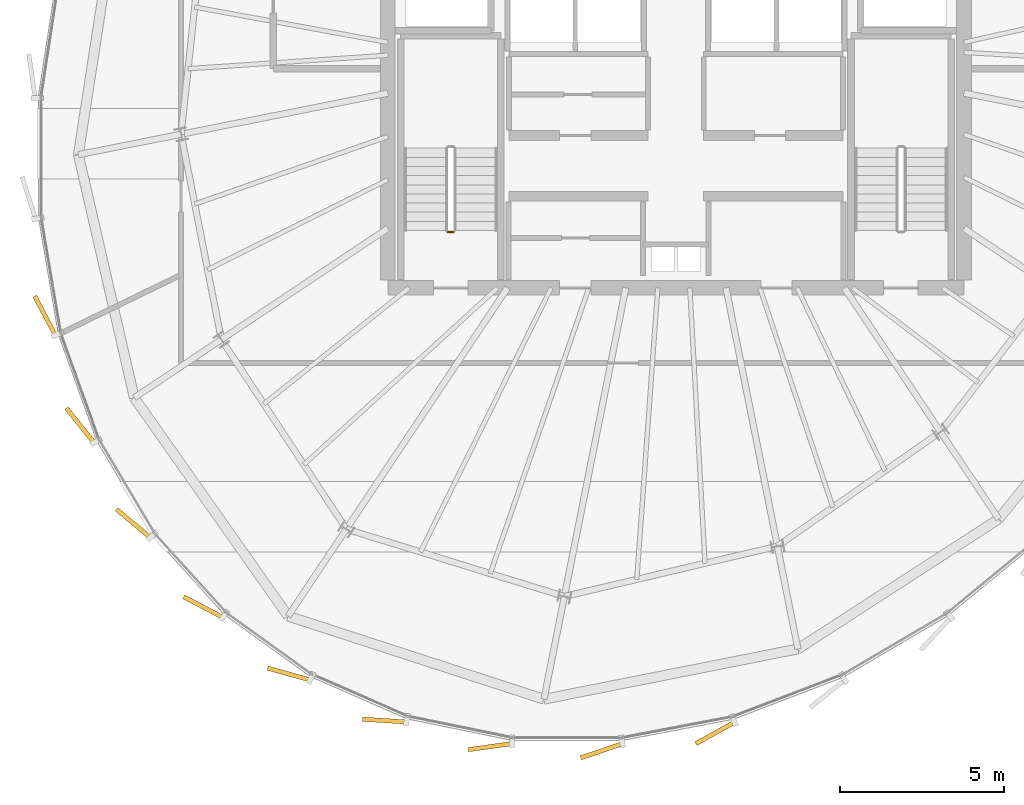
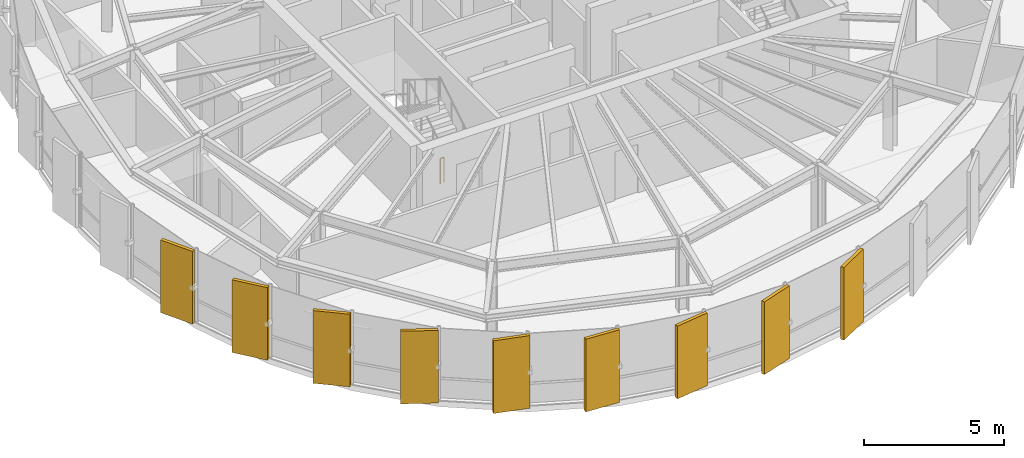
# One storey, part 28 of 31: 9 coverings, 1 railing.
"""IFC4 building model written with IfcOpenShell, lengths in metres."""

import ifcopenshell
import ifcopenshell.guid

model = None  # the IFC model being written
_history = None  # IfcOwnerHistory: only IFC2X3 demands one
_inside = {}  # id of a spatial element -> (the spatial element, [elements in it])
_under = {}  # id of a project, library or spatial element -> (it, [spatial elements below it])
_declared = {}  # id of a project -> (the project, [libraries it declares])
_typed = {}  # id of a type object -> (the type object, [elements of that type])
_made_of = {}  # id of a material, layer set ... -> (it, [elements and type objects made of it])


def new_model(schema):
    """Start an empty IFC model of exactly this schema.

    Asked for "IFC4X3", IfcOpenShell would pick the latest addendum, in which some entities
    have other attributes; the version numbers below select the first issue.
    IFC2X3 requires an IfcOwnerHistory on every rooted entity: one is made here for all.
    """
    global model, _history
    if schema == "IFC4X3":
        model = ifcopenshell.file(schema_version=(4, 3, 0, 0))
    else:
        model = ifcopenshell.file(schema=schema)
    _inside.clear()
    _under.clear()
    _declared.clear()
    _typed.clear()
    _made_of.clear()
    _history = None
    if model.schema == "IFC2X3":
        org = make("IfcOrganization", Name="unknown")
        user = make(
            "IfcPersonAndOrganization",
            ThePerson=make("IfcPerson", FamilyName="unknown"),
            TheOrganization=org,
        )
        app = make(
            "IfcApplication",
            ApplicationDeveloper=org,
            Version="unknown",
            ApplicationFullName="unknown",
            ApplicationIdentifier="unknown",
        )
        _history = make(
            "IfcOwnerHistory",
            OwningUser=user,
            OwningApplication=app,
            ChangeAction="ADDED",
            CreationDate=0,
        )
    return model


def make(cls, **values):
    """One entity of the class cls with the attributes given. An attribute that is None is left unset."""
    return model.create_entity(
        cls, **{name: value for name, value in values.items() if value is not None}
    )


def rooted(cls, **values):
    """An entity with a GlobalId (a new one), such as an element, a storey or a relation."""
    return make(cls, GlobalId=ifcopenshell.guid.new(), OwnerHistory=_history, **values)


def si_unit(unit_type, name, prefix=None):
    """IfcSIUnit, for example si_unit("LENGTHUNIT", "METRE", prefix="MILLI")."""
    return make("IfcSIUnit", UnitType=unit_type, Prefix=prefix, Name=name)


def assignment(units):
    """IfcUnitAssignment: the units of a project."""
    return None if units is None else make("IfcUnitAssignment", Units=units)


def point(xyz):
    """IfcCartesianPoint."""
    return None if xyz is None else make("IfcCartesianPoint", Coordinates=xyz)


def direction(xyz):
    """IfcDirection."""
    return None if xyz is None else make("IfcDirection", DirectionRatios=xyz)


def frame(location, z_axis=None, x_axis=None):
    """IfcAxis2Placement3D, a coordinate frame: its origin and axes. An axis left out is left unset."""
    return make(
        "IfcAxis2Placement3D",
        Location=point(location),
        Axis=direction(z_axis),
        RefDirection=direction(x_axis),
    )


def frame_2d(location, x_axis=None):
    """IfcAxis2Placement2D, a coordinate frame in the plane: its origin and x axis."""
    return make(
        "IfcAxis2Placement2D", Location=point(location), RefDirection=direction(x_axis)
    )


def origin():
    """The frame at (0, 0, 0) with its axes left unset."""
    return frame((0.0, 0.0, 0.0))


def origin_2d():
    """The frame at (0, 0) in the plane with its x axis left unset."""
    return frame_2d((0.0, 0.0))


def place(relative_to, where):
    """IfcLocalPlacement: puts the frame where relative to a parent placement (None: the world)."""
    return make(
        "IfcLocalPlacement", PlacementRelTo=relative_to, RelativePlacement=where
    )


def context(
    kind, dimensions, precision=None, world=None, true_north=None, identifier=None
):
    """IfcGeometricRepresentationContext, for example the 3D "Model" context."""
    return make(
        "IfcGeometricRepresentationContext",
        ContextIdentifier=identifier,
        ContextType=kind,
        CoordinateSpaceDimension=dimensions,
        Precision=precision,
        WorldCoordinateSystem=world,
        TrueNorth=true_north,
    )


def subcontext(parent, identifier, kind, view, scale=None):
    """IfcGeometricRepresentationSubContext, for example "Body" below "Model"."""
    return make(
        "IfcGeometricRepresentationSubContext",
        ContextIdentifier=identifier,
        ContextType=kind,
        ParentContext=parent,
        TargetScale=scale,
        TargetView=view,
    )


def project(units=None, contexts=None):
    """IfcProject with its units and contexts."""
    return rooted(
        "IfcProject",
        Name="project",
        RepresentationContexts=contexts,
        UnitsInContext=assignment(units),
    )


def spatial(cls, under=None, at=None, **own):
    """A site, building, storey or space (cls), placed at a placement, below another one or the project."""
    s = rooted(cls, ObjectPlacement=at, **own)
    if under is not None:
        _under.setdefault(under.id(), (under, []))[1].append(s)
    return s


def profile(cls, at=None, kind="AREA", **sizes):
    """A parametric profile (cls). Its sizes go by their IFC names, for example OverallWidth=200.0."""
    return make(cls, ProfileType=kind, Position=at, **sizes)


def rectangle(**sizes):
    """IfcRectangleProfileDef."""
    return profile("IfcRectangleProfileDef", **sizes)


def circle(**sizes):
    """IfcCircleProfileDef."""
    return profile("IfcCircleProfileDef", **sizes)


def extrude(swept, where, along, depth):
    """IfcExtrudedAreaSolid: the profile swept, set in the frame where, extruded along a direction by depth."""
    return make(
        "IfcExtrudedAreaSolid",
        SweptArea=swept,
        Position=where,
        ExtrudedDirection=direction(along),
        Depth=depth,
    )


def shape(context_of_items, identifier, shape_type, items):
    """IfcShapeRepresentation: the items that make up one representation, for example the "Body"."""
    return make(
        "IfcShapeRepresentation",
        ContextOfItems=context_of_items,
        RepresentationIdentifier=identifier,
        RepresentationType=shape_type,
        Items=items,
    )


def source(mapping_origin, context_of_items, identifier, shape_type, items):
    """IfcRepresentationMap: a shape defined once, which mapped items show again and again."""
    return make(
        "IfcRepresentationMap",
        MappingOrigin=mapping_origin,
        MappedRepresentation=shape(context_of_items, identifier, shape_type, items),
    )


def transform(
    local_origin,
    x_axis=None,
    y_axis=None,
    z_axis=None,
    scale=None,
    scale2=None,
    scale3=None,
    uniform=True,
):
    """IfcCartesianTransformationOperator3D, or its non-uniform kind. x_axis, y_axis, z_axis: its Axis1, 2, 3."""
    if uniform:
        return make(
            "IfcCartesianTransformationOperator3D",
            Axis1=direction(x_axis),
            Axis2=direction(y_axis),
            LocalOrigin=point(local_origin),
            Scale=scale,
            Axis3=direction(z_axis),
        )
    return make(
        "IfcCartesianTransformationOperator3DnonUniform",
        Axis1=direction(x_axis),
        Axis2=direction(y_axis),
        LocalOrigin=point(local_origin),
        Scale=scale,
        Axis3=direction(z_axis),
        Scale2=scale2,
        Scale3=scale3,
    )


def mapped(mapping_source, mapping_target):
    """IfcMappedItem: shows the shape of a source again, moved by a transform."""
    return make(
        "IfcMappedItem", MappingSource=mapping_source, MappingTarget=mapping_target
    )


def material(Name=None, Category=None):
    """IfcMaterial."""
    return make("IfcMaterial", Name=Name, Category=Category)


def layer(
    of_material, thickness, ventilated=None, Name=None, Category=None, Priority=None
):
    """IfcMaterialLayer: one layer of a wall or slab, of a material (None: an air gap)."""
    return make(
        "IfcMaterialLayer",
        Material=of_material,
        LayerThickness=thickness,
        IsVentilated=ventilated,
        Name=Name,
        Category=Category,
        Priority=Priority,
    )


def layer_set(layers, Name=None):
    """IfcMaterialLayerSet."""
    return make("IfcMaterialLayerSet", MaterialLayers=layers, LayerSetName=Name)


def made_of(thing, what):
    """Note that an element or type object is made of a material, layer set ...; save() writes the relation."""
    if what is not None:
        _made_of.setdefault(what.id(), (what, []))[1].append(thing)
    return thing


def type_object(cls, material=None, **own):
    """A type object (cls), such as IfcWallType, which elements share."""
    return made_of(rooted(cls, **own), material)


def element(
    cls,
    number,
    at=None,
    inside=None,
    cuts=None,
    type_object=None,
    material=None,
    context=None,
    identifier="Body",
    shape_type=None,
    held_by="IfcProductDefinitionShape",
    body=None,
    shapes=None,
    **own,
):
    """One element of the class cls, such as IfcWall. Its Tag is "e" and its number.

    at: its placement. inside: the storey or other place that contains it. cuts: it is an
    opening in that element (IfcRelVoidsElement). A single representation is given by context,
    identifier, shape_type and body (its items); several are given by shapes. held_by: the class
    of the entity that holds the representations. save() writes the other relations.
    """
    e = rooted(cls, Tag="e%d" % number, ObjectPlacement=at, **own)
    if body is not None:
        shapes = [shape(context, identifier, shape_type, body)]
    if shapes is not None:
        e.Representation = make(held_by, Representations=shapes)
    if inside is not None:
        _inside.setdefault(inside.id(), (inside, []))[1].append(e)
    if cuts is not None:
        rooted(
            "IfcRelVoidsElement", RelatingBuildingElement=cuts, RelatedOpeningElement=e
        )
    if type_object is not None:
        _typed.setdefault(type_object.id(), (type_object, []))[1].append(e)
    return made_of(e, material)


def aggregate(whole, parts):
    """IfcRelAggregates: a whole, such as a stair, and the parts it consists of."""
    return rooted("IfcRelAggregates", RelatingObject=whole, RelatedObjects=parts)


def save(model, path):
    """Write the relations noted so far, then the file.

    IfcRelAggregates (storeys below a building ...), IfcRelContainedInSpatialStructure (elements
    in a storey), IfcRelDefinesByType, IfcRelAssociatesMaterial and IfcRelDeclares: one each for
    every whole, place, type object, material and project.
    """
    for whole, parts in _under.values():
        aggregate(whole, parts)
    for where, things in _inside.values():
        rooted(
            "IfcRelContainedInSpatialStructure",
            RelatedElements=things,
            RelatingStructure=where,
        )
    for kind, things in _typed.values():
        rooted("IfcRelDefinesByType", RelatedObjects=things, RelatingType=kind)
    for what, things in _made_of.values():
        rooted("IfcRelAssociatesMaterial", RelatedObjects=things, RelatingMaterial=what)
    for by, libraries in _declared.values():
        rooted("IfcRelDeclares", RelatingContext=by, RelatedDefinitions=libraries)
    model.write(path)


model = new_model("IFC4")

# Units and contexts
model_context = context("Model", 3, precision=1e-05, world=origin(), true_north=direction((0.0, 1.0)))
body_context = subcontext(model_context, "Body", "Model", "MODEL_VIEW")
ifc_project = project(units=[si_unit("LENGTHUNIT", "METRE"), si_unit("AREAUNIT", "SQUARE_METRE"), si_unit("VOLUMEUNIT", "CUBIC_METRE"), si_unit("PLANEANGLEUNIT", "RADIAN"), si_unit("MASSUNIT", "GRAM", prefix="KILO"), si_unit("THERMODYNAMICTEMPERATUREUNIT", "KELVIN")], contexts=[model_context])

# Site, building, storey
site_placement = place(None, origin())
site = spatial("IfcSite", under=ifc_project, at=site_placement, CompositionType="ELEMENT")
building_placement = place(site_placement, origin())
building = spatial("IfcBuilding", under=site, at=building_placement, Name="Kethvar Cultural Tower", CompositionType="ELEMENT")
storey_placement = place(building_placement, frame((0.0, 0.0, 276.699951171875)))
storey = spatial("IfcBuildingStorey", under=building, at=storey_placement, Name="L73", CompositionType="ELEMENT", Elevation=276.699951171875)

# Railing
ifc_material_1 = material(Name="Steel S355J2", Category="steel")
railing_type = type_object("IfcRailingType", Name="RL-STAIR-GUARD", PredefinedType="BALUSTRADE", material=ifc_material_1)
railing_placement = place(storey_placement, frame((40.0, 21.800048828125, 0.0)))
element("IfcRailing", 1, at=railing_placement, inside=storey, type_object=railing_type, Name="L73 ST-01 stair guard 4", PredefinedType="BALUSTRADE", context=body_context, shape_type="SweptSolid", body=[
    extrude(circle(Radius=0.02392578125, at=origin_2d()), frame((0.0, 0.0, 1.09619140625), z_axis=(-1.0, 0.0, 0.0), x_axis=(0.0, -1.0, 0.0)), (0.0, 0.0, 1.0), 0.159912109375),
    extrude(circle(Radius=0.02099609375, at=origin_2d()), origin(), (0.0, 0.0, 1.0), 1.072021484375),
    extrude(circle(Radius=0.02099609375, at=origin_2d()), frame((-0.159912109375, 0.0, 0.0)), (0.0, 0.0, 1.0), 1.072021484375),
])

# Coverings
ifc_material_2 = material(Name="Extruded Architectural Terracotta", Category="masonry")
ifc_layer = layer(ifc_material_2, 0.135009765625, Name="Extruded Architectural Terracotta", Category="masonry")
ifc_layer_set = layer_set([ifc_layer], Name="Extruded Architectural Terracotta (135 mm)")
covering_type = type_object("IfcCoveringType", Name="Terracotta Facade Fin FIN-03", PredefinedType="CLADDING", material=ifc_layer_set)
shared_shape = source(origin(), body_context, "Body", "SweptSolid", [
    extrude(rectangle(XDim=1.35009765625, YDim=0.135009765625, at=origin_2d()), origin(), (0.0, 0.0, 1.0), 3.169921875),
])
for number, where, z_axis, x_axis, name in (
    (2, (27.526123046875, 19.25048828125, 0.02001953125), (0.0, 0.0, 1.0), (-0.46638664034, 0.884580975215, 0.0), "L73 Vertical Terracotta Fin 3.3"),
    (3, (28.6015625, 15.89990234375, 0.02001953125), (0.0, 0.0, 1.0), (-0.624833938242, 0.780757676633, 0.0), "L73 Vertical Terracotta Fin 3.4"),
    (4, (30.228515625, 12.901611328125, 0.02001953125), (0.0, 0.0, 1.0), (-0.768283523594, 0.640109699485, 0.0), "L73 Vertical Terracotta Fin 3.5"),
    (5, (32.3623046875, 10.3466796875, 0.02001953125), (0.0, 0.0, 1.0), (-0.884662361566, 0.466232244732, 0.0), "L73 Vertical Terracotta Fin 3.6"),
    (6, (34.975830078125, 8.302734375, 0.02001953125), (0.0, 0.0, 1.0), (-0.963115616765, 0.269087920099, 0.0), "L73 Vertical Terracotta Fin 4.1"),
    (7, (37.89404296875, 6.879638671875, 0.02001953125), (0.0, 0.0, 1.0), (-0.998026728428, 0.062790519529, 0.0), "L73 Vertical Terracotta Fin 4.2"),
    (8, (41.12353515625, 6.083984375, 0.02001953125), (0.0, 0.0, 1.0), (-0.990437361669, -0.137963156715, 0.0), "L73 Vertical Terracotta Fin 4.3"),
    (9, (44.52880859375, 5.956787109375, 0.02001953125), (0.0, 0.0, 1.0), (-0.946649260116, -0.322265695231, 0.0), "L73 Vertical Terracotta Fin 4.4"),
    (10, (48.001220703125, 6.502197265625, 0.02001953125), (0.0, 0.0, 1.0), (-0.874957954937, -0.484198902407, 0.0), "L73 Vertical Terracotta Fin 4.5"),
):
    element("IfcCovering", number, at=place(storey_placement, frame(where, z_axis=z_axis, x_axis=x_axis)), inside=storey, type_object=covering_type, Name=name, PredefinedType="CLADDING", context=body_context, shape_type="MappedRepresentation", body=[
        mapped(shared_shape, transform((0.0, 0.0, 0.0), scale=1.0)),
    ])

save(model, "model.ifc")
